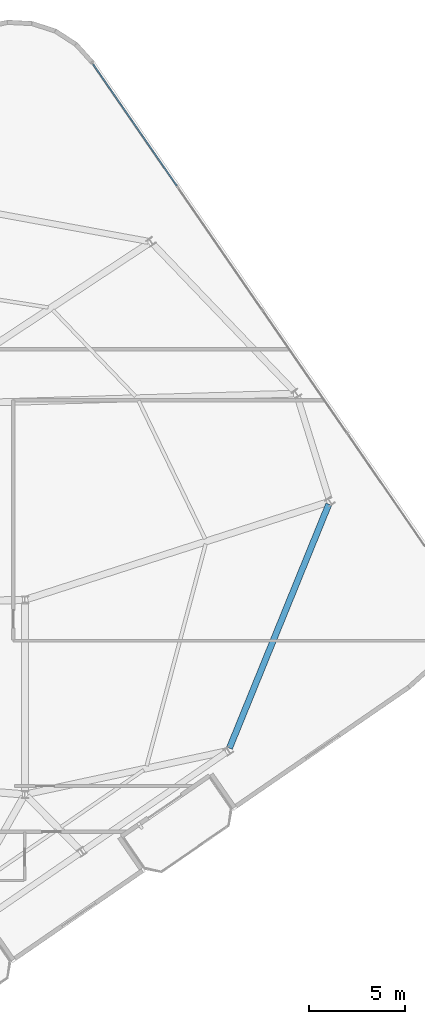
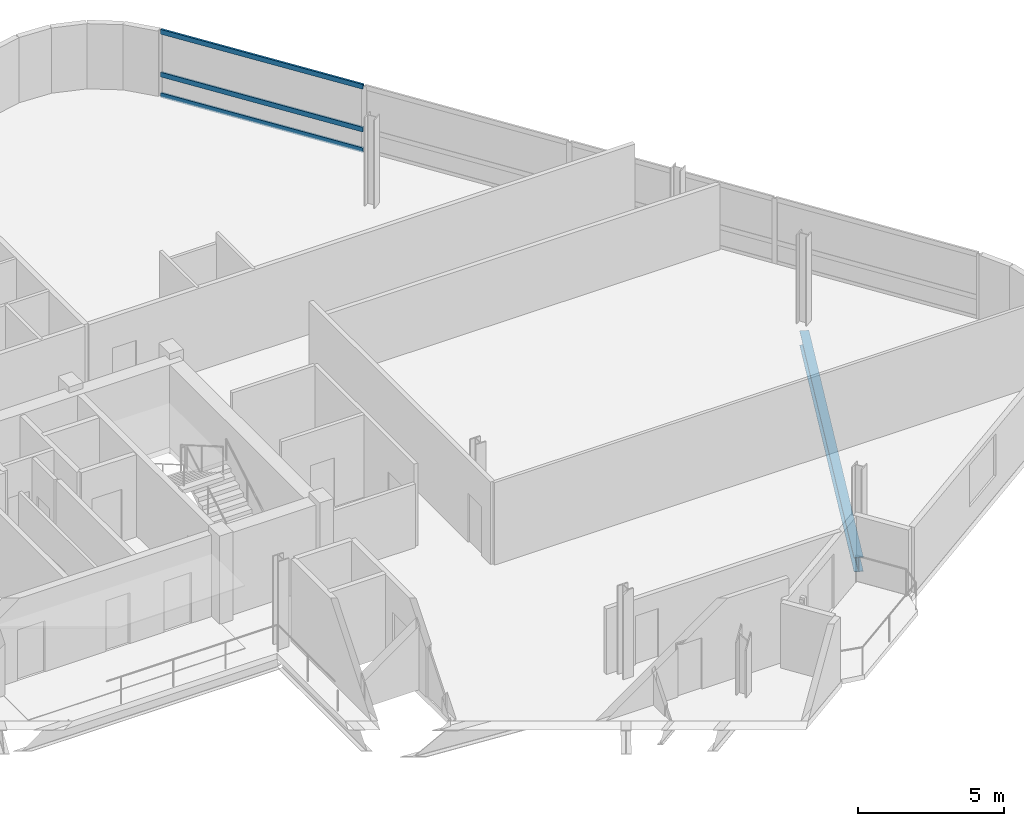
# One storey, part 10 of 21: 3 members, 1 beam, 1 element without a shape of its own.
"""IFC4 building model written with IfcOpenShell, lengths in metres."""

from ifc_helpers import new_model, si_unit, direction, frame, origin, origin_2d, place, context, subcontext, project, spatial, hollow_rectangle, i_section, extrude, material, layer, layer_set, material_profile, profile_set, type_object, element, aggregate, save


model = new_model("IFC4")

# Units and contexts
model_context = context("Model", 3, precision=1e-05, world=origin(), true_north=direction((0.0, 1.0)))
body_context = subcontext(model_context, "Body", "Model", "MODEL_VIEW")
ifc_project = project(units=[si_unit("LENGTHUNIT", "METRE"), si_unit("AREAUNIT", "SQUARE_METRE"), si_unit("VOLUMEUNIT", "CUBIC_METRE"), si_unit("PLANEANGLEUNIT", "RADIAN"), si_unit("MASSUNIT", "GRAM", prefix="KILO")], contexts=[model_context])

# Site, building, storey
site_placement = place(None, origin())
site = spatial("IfcSite", under=ifc_project, at=site_placement, CompositionType="ELEMENT")
building_placement = place(site_placement, origin())
building = spatial("IfcBuilding", under=site, at=building_placement, Name="Varnelok Gate Tower", CompositionType="ELEMENT")
storey_placement = place(building_placement, frame((0.0, 0.0, 269.300048828125)))
storey = spatial("IfcBuildingStorey", under=building, at=storey_placement, Name="L69", CompositionType="ELEMENT", Elevation=269.300048828125)

# Beam
ifc_material_1 = material(Name="Structural Steel ASTM A992 Grade 50", Category="steel")
ifc_material_profile_1 = material_profile(ifc_material_1, i_section(OverallWidth=0.323974609375, OverallDepth=0.611083984375, WebThickness=0.0126953125, FlangeThickness=0.01904296875, FilletRadius=0.01806640625, at=origin_2d()), Name="W24X104")
ifc_profile_set_1 = profile_set([ifc_material_profile_1], Name="Structural Steel ASTM A992 Grade 50")
beam_type = type_object("IfcBeamType", Name="BM-SPN-W24X104", PredefinedType="SPANDREL", material=ifc_profile_set_1)
beam_placement = place(storey_placement, frame((64.634765625, 21.20849609375, -0.5556640625), z_axis=(0.377167779659, 0.926144948692, 0.0), x_axis=(-0.926144948692, 0.377167779659, 0.0)))
element("IfcBeam", 1, at=beam_placement, inside=storey, type_object=beam_type, Name="L69 Perimeter Spandrel Beam 5", PredefinedType="SPANDREL", context=body_context, shape_type="SweptSolid", body=[
    extrude(i_section(OverallWidth=0.323974609375, OverallDepth=0.611083984375, WebThickness=0.0126953125, FlangeThickness=0.01904296875, FilletRadius=0.01806640625, at=origin_2d()), origin(), (0.0, 0.0, 1.0), 13.695556640625),
])

# Curtain wall, members
ifc_material_2 = material(Name="Anodized Aluminum Alloy 6063-T6", Category="aluminium")
ifc_layer = layer(ifc_material_2, 0.179931640625)
ifc_layer_set = layer_set([ifc_layer], Name="Anodized Aluminum Alloy 6063-T6")
curtain_wall_type = type_object("IfcCurtainWallType", Name="CW4-RESIDENCE-VISION", PredefinedType="USERDEFINED", material=ifc_layer_set)
curtain_wall_placement = place(storey_placement, origin())
curtain_wall = element("IfcCurtainWall", 2, at=curtain_wall_placement, inside=storey, type_object=curtain_wall_type, Name="L69 East End Vision Curtain Wall", ObjectType="UNITISED CURTAIN WALL", PredefinedType="USERDEFINED")
ifc_material_profile_2 = material_profile(ifc_material_2, hollow_rectangle(XDim=0.074951171875, YDim=0.199951171875, WallThickness=0.00390625, at=origin_2d()), Name="ALU200X75X4")
ifc_profile_set_2 = profile_set([ifc_material_profile_2], Name="Anodized Aluminum Alloy 6063-T6")
member_type = type_object("IfcMemberType", Name="CW-TRAN-200", PredefinedType="USERDEFINED", material=ifc_profile_set_2)
member_1_placement = place(storey_placement, frame((57.536865234375, 56.782470703125, 0.037353515625), z_axis=(0.567271254331, -0.823531009744, 0.0), x_axis=(0.823531009744, 0.567271254331, 0.0)))
member_1 = element("IfcMember", 3, at=member_1_placement, type_object=member_type, Name="CW4 transom 1.1", ObjectType="TRANSOM", PredefinedType="USERDEFINED", context=body_context, shape_type="SweptSolid", body=[
    extrude(hollow_rectangle(XDim=0.074951171875, YDim=0.199951171875, WallThickness=0.00390625, at=origin_2d()), origin(), (0.0, 0.0, 1.0), 7.6875),
])
member_2_placement = place(storey_placement, frame((57.536865234375, 56.782470703125, 0.89990234375), z_axis=(0.567271254331, -0.823531009744, 0.0), x_axis=(0.823531009744, 0.567271254331, 0.0)))
member_2 = element("IfcMember", 4, at=member_2_placement, type_object=member_type, Name="CW4 transom 1.2", ObjectType="TRANSOM", PredefinedType="USERDEFINED", context=body_context, shape_type="SweptSolid", body=[
    extrude(hollow_rectangle(XDim=0.074951171875, YDim=0.199951171875, WallThickness=0.00390625, at=origin_2d()), origin(), (0.0, 0.0, 1.0), 7.6875),
])
member_3_placement = place(storey_placement, frame((57.536865234375, 56.782470703125, 2.6923828125), z_axis=(0.567271254331, -0.823531009744, 0.0), x_axis=(0.823531009744, 0.567271254331, 0.0)))
member_3 = element("IfcMember", 5, at=member_3_placement, type_object=member_type, Name="CW4 transom 1.3", ObjectType="TRANSOM", PredefinedType="USERDEFINED", context=body_context, shape_type="SweptSolid", body=[
    extrude(hollow_rectangle(XDim=0.074951171875, YDim=0.199951171875, WallThickness=0.00390625, at=origin_2d()), origin(), (0.0, 0.0, 1.0), 7.6875),
])
aggregate(curtain_wall, [member_1, member_2, member_3])

save(model, "model.ifc")
